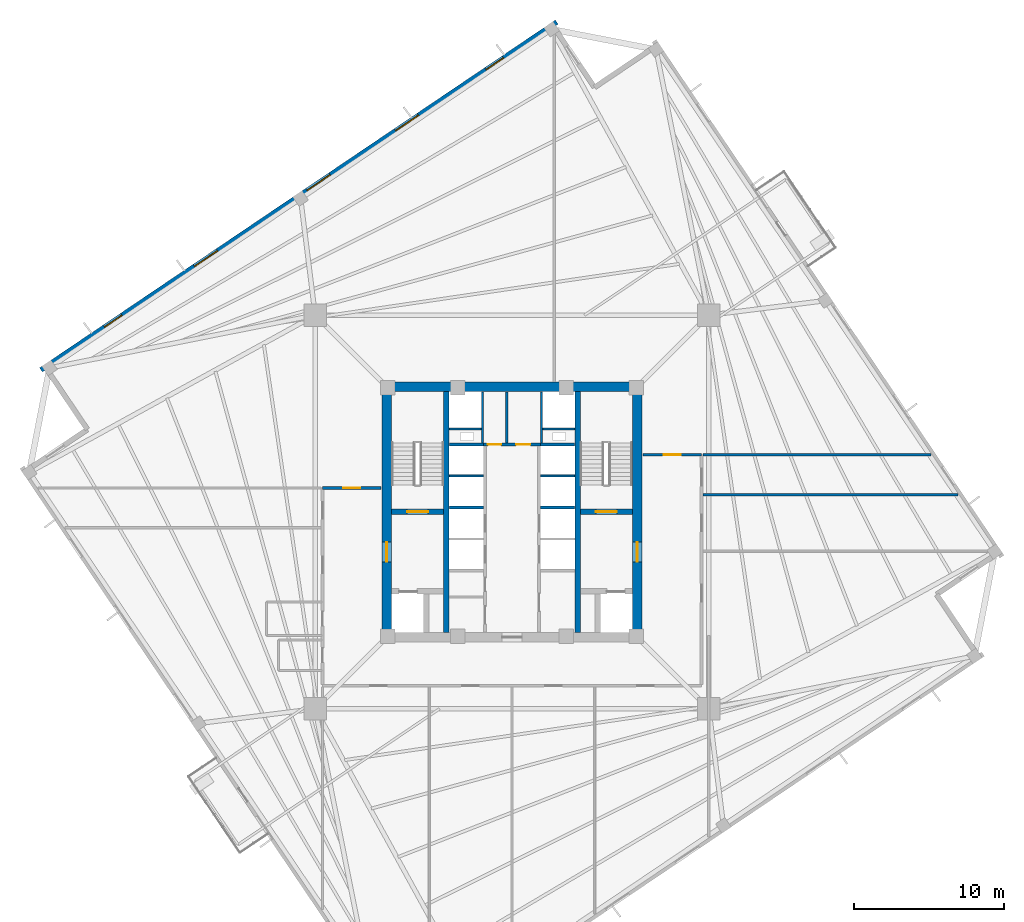
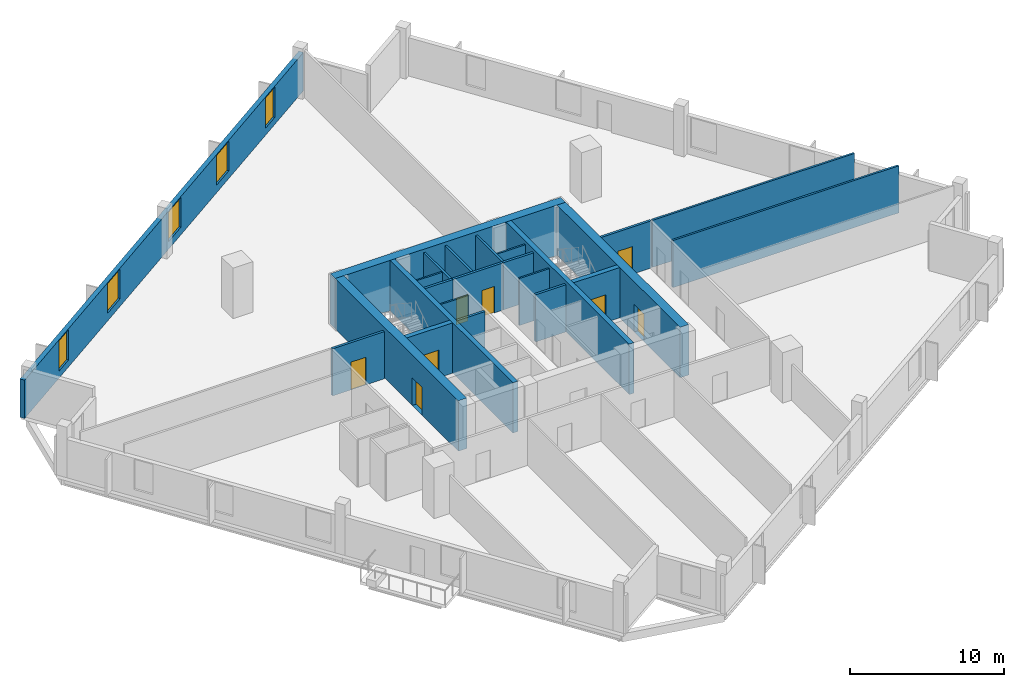
# One storey, part 5 of 9: 24 walls, 8 doors, 5 windows, 13 openings.
"""IFC4 building model written with IfcOpenShell, lengths in metres."""

import ifcopenshell
import ifcopenshell.guid

model = None  # the IFC model being written
_history = None  # IfcOwnerHistory: only IFC2X3 demands one
_inside = {}  # id of a spatial element -> (the spatial element, [elements in it])
_under = {}  # id of a project, library or spatial element -> (it, [spatial elements below it])
_declared = {}  # id of a project -> (the project, [libraries it declares])
_typed = {}  # id of a type object -> (the type object, [elements of that type])
_made_of = {}  # id of a material, layer set ... -> (it, [elements and type objects made of it])


def new_model(schema):
    """Start an empty IFC model of exactly this schema.

    Asked for "IFC4X3", IfcOpenShell would pick the latest addendum, in which some entities
    have other attributes; the version numbers below select the first issue.
    IFC2X3 requires an IfcOwnerHistory on every rooted entity: one is made here for all.
    """
    global model, _history
    if schema == "IFC4X3":
        model = ifcopenshell.file(schema_version=(4, 3, 0, 0))
    else:
        model = ifcopenshell.file(schema=schema)
    _inside.clear()
    _under.clear()
    _declared.clear()
    _typed.clear()
    _made_of.clear()
    _history = None
    if model.schema == "IFC2X3":
        org = make("IfcOrganization", Name="unknown")
        user = make(
            "IfcPersonAndOrganization",
            ThePerson=make("IfcPerson", FamilyName="unknown"),
            TheOrganization=org,
        )
        app = make(
            "IfcApplication",
            ApplicationDeveloper=org,
            Version="unknown",
            ApplicationFullName="unknown",
            ApplicationIdentifier="unknown",
        )
        _history = make(
            "IfcOwnerHistory",
            OwningUser=user,
            OwningApplication=app,
            ChangeAction="ADDED",
            CreationDate=0,
        )
    return model


def make(cls, **values):
    """One entity of the class cls with the attributes given. An attribute that is None is left unset."""
    return model.create_entity(
        cls, **{name: value for name, value in values.items() if value is not None}
    )


def rooted(cls, **values):
    """An entity with a GlobalId (a new one), such as an element, a storey or a relation."""
    return make(cls, GlobalId=ifcopenshell.guid.new(), OwnerHistory=_history, **values)


def si_unit(unit_type, name, prefix=None):
    """IfcSIUnit, for example si_unit("LENGTHUNIT", "METRE", prefix="MILLI")."""
    return make("IfcSIUnit", UnitType=unit_type, Prefix=prefix, Name=name)


def assignment(units):
    """IfcUnitAssignment: the units of a project."""
    return None if units is None else make("IfcUnitAssignment", Units=units)


def point(xyz):
    """IfcCartesianPoint."""
    return None if xyz is None else make("IfcCartesianPoint", Coordinates=xyz)


def direction(xyz):
    """IfcDirection."""
    return None if xyz is None else make("IfcDirection", DirectionRatios=xyz)


def frame(location, z_axis=None, x_axis=None):
    """IfcAxis2Placement3D, a coordinate frame: its origin and axes. An axis left out is left unset."""
    return make(
        "IfcAxis2Placement3D",
        Location=point(location),
        Axis=direction(z_axis),
        RefDirection=direction(x_axis),
    )


def frame_2d(location, x_axis=None):
    """IfcAxis2Placement2D, a coordinate frame in the plane: its origin and x axis."""
    return make(
        "IfcAxis2Placement2D", Location=point(location), RefDirection=direction(x_axis)
    )


def origin():
    """The frame at (0, 0, 0) with its axes left unset."""
    return frame((0.0, 0.0, 0.0))


def place(relative_to, where):
    """IfcLocalPlacement: puts the frame where relative to a parent placement (None: the world)."""
    return make(
        "IfcLocalPlacement", PlacementRelTo=relative_to, RelativePlacement=where
    )


def context(
    kind, dimensions, precision=None, world=None, true_north=None, identifier=None
):
    """IfcGeometricRepresentationContext, for example the 3D "Model" context."""
    return make(
        "IfcGeometricRepresentationContext",
        ContextIdentifier=identifier,
        ContextType=kind,
        CoordinateSpaceDimension=dimensions,
        Precision=precision,
        WorldCoordinateSystem=world,
        TrueNorth=true_north,
    )


def subcontext(parent, identifier, kind, view, scale=None):
    """IfcGeometricRepresentationSubContext, for example "Body" below "Model"."""
    return make(
        "IfcGeometricRepresentationSubContext",
        ContextIdentifier=identifier,
        ContextType=kind,
        ParentContext=parent,
        TargetScale=scale,
        TargetView=view,
    )


def project(units=None, contexts=None):
    """IfcProject with its units and contexts."""
    return rooted(
        "IfcProject",
        Name="project",
        RepresentationContexts=contexts,
        UnitsInContext=assignment(units),
    )


def spatial(cls, under=None, at=None, **own):
    """A site, building, storey or space (cls), placed at a placement, below another one or the project."""
    s = rooted(cls, ObjectPlacement=at, **own)
    if under is not None:
        _under.setdefault(under.id(), (under, []))[1].append(s)
    return s


def profile(cls, at=None, kind="AREA", **sizes):
    """A parametric profile (cls). Its sizes go by their IFC names, for example OverallWidth=200.0."""
    return make(cls, ProfileType=kind, Position=at, **sizes)


def rectangle(**sizes):
    """IfcRectangleProfileDef."""
    return profile("IfcRectangleProfileDef", **sizes)


def extrude(swept, where, along, depth):
    """IfcExtrudedAreaSolid: the profile swept, set in the frame where, extruded along a direction by depth."""
    return make(
        "IfcExtrudedAreaSolid",
        SweptArea=swept,
        Position=where,
        ExtrudedDirection=direction(along),
        Depth=depth,
    )


def shape(context_of_items, identifier, shape_type, items):
    """IfcShapeRepresentation: the items that make up one representation, for example the "Body"."""
    return make(
        "IfcShapeRepresentation",
        ContextOfItems=context_of_items,
        RepresentationIdentifier=identifier,
        RepresentationType=shape_type,
        Items=items,
    )


def source(mapping_origin, context_of_items, identifier, shape_type, items):
    """IfcRepresentationMap: a shape defined once, which mapped items show again and again."""
    return make(
        "IfcRepresentationMap",
        MappingOrigin=mapping_origin,
        MappedRepresentation=shape(context_of_items, identifier, shape_type, items),
    )


def transform(
    local_origin,
    x_axis=None,
    y_axis=None,
    z_axis=None,
    scale=None,
    scale2=None,
    scale3=None,
    uniform=True,
):
    """IfcCartesianTransformationOperator3D, or its non-uniform kind. x_axis, y_axis, z_axis: its Axis1, 2, 3."""
    if uniform:
        return make(
            "IfcCartesianTransformationOperator3D",
            Axis1=direction(x_axis),
            Axis2=direction(y_axis),
            LocalOrigin=point(local_origin),
            Scale=scale,
            Axis3=direction(z_axis),
        )
    return make(
        "IfcCartesianTransformationOperator3DnonUniform",
        Axis1=direction(x_axis),
        Axis2=direction(y_axis),
        LocalOrigin=point(local_origin),
        Scale=scale,
        Axis3=direction(z_axis),
        Scale2=scale2,
        Scale3=scale3,
    )


def mapped(mapping_source, mapping_target):
    """IfcMappedItem: shows the shape of a source again, moved by a transform."""
    return make(
        "IfcMappedItem", MappingSource=mapping_source, MappingTarget=mapping_target
    )


def material(Name=None, Category=None):
    """IfcMaterial."""
    return make("IfcMaterial", Name=Name, Category=Category)


def layer(
    of_material, thickness, ventilated=None, Name=None, Category=None, Priority=None
):
    """IfcMaterialLayer: one layer of a wall or slab, of a material (None: an air gap)."""
    return make(
        "IfcMaterialLayer",
        Material=of_material,
        LayerThickness=thickness,
        IsVentilated=ventilated,
        Name=Name,
        Category=Category,
        Priority=Priority,
    )


def layer_set(layers, Name=None):
    """IfcMaterialLayerSet."""
    return make("IfcMaterialLayerSet", MaterialLayers=layers, LayerSetName=Name)


def made_of(thing, what):
    """Note that an element or type object is made of a material, layer set ...; save() writes the relation."""
    if what is not None:
        _made_of.setdefault(what.id(), (what, []))[1].append(thing)
    return thing


def type_object(cls, material=None, **own):
    """A type object (cls), such as IfcWallType, which elements share."""
    return made_of(rooted(cls, **own), material)


def element(
    cls,
    number,
    at=None,
    inside=None,
    cuts=None,
    type_object=None,
    material=None,
    context=None,
    identifier="Body",
    shape_type=None,
    held_by="IfcProductDefinitionShape",
    body=None,
    shapes=None,
    **own,
):
    """One element of the class cls, such as IfcWall. Its Tag is "e" and its number.

    at: its placement. inside: the storey or other place that contains it. cuts: it is an
    opening in that element (IfcRelVoidsElement). A single representation is given by context,
    identifier, shape_type and body (its items); several are given by shapes. held_by: the class
    of the entity that holds the representations. save() writes the other relations.
    """
    e = rooted(cls, Tag="e%d" % number, ObjectPlacement=at, **own)
    if body is not None:
        shapes = [shape(context, identifier, shape_type, body)]
    if shapes is not None:
        e.Representation = make(held_by, Representations=shapes)
    if inside is not None:
        _inside.setdefault(inside.id(), (inside, []))[1].append(e)
    if cuts is not None:
        rooted(
            "IfcRelVoidsElement", RelatingBuildingElement=cuts, RelatedOpeningElement=e
        )
    if type_object is not None:
        _typed.setdefault(type_object.id(), (type_object, []))[1].append(e)
    return made_of(e, material)


def fill(opening, filler):
    """IfcRelFillsElement: the door or window that sits in an opening."""
    return rooted(
        "IfcRelFillsElement",
        RelatingOpeningElement=opening,
        RelatedBuildingElement=filler,
    )


def aggregate(whole, parts):
    """IfcRelAggregates: a whole, such as a stair, and the parts it consists of."""
    return rooted("IfcRelAggregates", RelatingObject=whole, RelatedObjects=parts)


def save(model, path):
    """Write the relations noted so far, then the file.

    IfcRelAggregates (storeys below a building ...), IfcRelContainedInSpatialStructure (elements
    in a storey), IfcRelDefinesByType, IfcRelAssociatesMaterial and IfcRelDeclares: one each for
    every whole, place, type object, material and project.
    """
    for whole, parts in _under.values():
        aggregate(whole, parts)
    for where, things in _inside.values():
        rooted(
            "IfcRelContainedInSpatialStructure",
            RelatedElements=things,
            RelatingStructure=where,
        )
    for kind, things in _typed.values():
        rooted("IfcRelDefinesByType", RelatedObjects=things, RelatingType=kind)
    for what, things in _made_of.values():
        rooted("IfcRelAssociatesMaterial", RelatedObjects=things, RelatingMaterial=what)
    for by, libraries in _declared.values():
        rooted("IfcRelDeclares", RelatingContext=by, RelatedDefinitions=libraries)
    model.write(path)


model = new_model("IFC4")

# Units and contexts
model_context = context("Model", 3, precision=1e-05, world=origin(), true_north=direction((0.0, 1.0)))
body_context = subcontext(model_context, "Body", "Model", "MODEL_VIEW")
ifc_project = project(units=[si_unit("LENGTHUNIT", "METRE"), si_unit("AREAUNIT", "SQUARE_METRE"), si_unit("VOLUMEUNIT", "CUBIC_METRE"), si_unit("PLANEANGLEUNIT", "RADIAN"), si_unit("MASSUNIT", "GRAM", prefix="KILO"), si_unit("THERMODYNAMICTEMPERATUREUNIT", "KELVIN")], contexts=[model_context])

# Site, building, storey
site_placement = place(None, origin())
site = spatial("IfcSite", under=ifc_project, at=site_placement, CompositionType="ELEMENT")
building_placement = place(site_placement, origin())
building = spatial("IfcBuilding", under=site, at=building_placement, Name="Kosmvard Interchange Tower", CompositionType="ELEMENT")
storey_placement = place(building_placement, frame((0.0, 0.0, 192.39990234375)))
storey = spatial("IfcBuildingStorey", under=building, at=storey_placement, Name="L46", CompositionType="ELEMENT", Elevation=192.39990234375)

# Walls
ifc_material_1 = material(Name="Acoustic gypsum partition system")
ifc_layer_1 = layer(ifc_material_1, 0.14990234375, Name="Acoustic gypsum partition system")
ifc_layer_set_1 = layer_set([ifc_layer_1], Name="Acoustic gypsum partition system")
wall_type_1 = type_object("IfcWallType", Name="Acoustic Suite & Meeting Partition 150", PredefinedType="PARTITIONING", material=ifc_layer_set_1)
wall_1_placement = place(storey_placement, frame((12.695068359375, 1.14990234375, 0.0), z_axis=(0.0, 0.0, 1.0), x_axis=(1.0, 0.0, 0.0)))
element("IfcWall", 1, at=wall_1_placement, inside=storey, type_object=wall_type_1, Name="L46 Room Partition 04.1", PredefinedType="PARTITIONING", context=body_context, shape_type="SweptSolid", body=[
    extrude(rectangle(XDim=16.9560546875, YDim=0.14990234375, at=frame_2d((8.47802734375, 0.0))), origin(), (0.0, 0.0, 1.0), 3.739990234375),
])
wall_2_placement = place(storey_placement, frame((12.695068359375, 3.800048828125, 0.0), z_axis=(0.0, 0.0, 1.0), x_axis=(1.0, 0.0, 0.0)))
element("IfcWall", 2, at=wall_2_placement, inside=storey, type_object=wall_type_1, Name="L46 Room Partition 05.1", PredefinedType="PARTITIONING", context=body_context, shape_type="SweptSolid", body=[
    extrude(rectangle(XDim=15.168701171875, YDim=0.14990234375, at=frame_2d((7.58447265625, 0.0))), origin(), (0.0, 0.0, 1.0), 3.739990234375),
])
ifc_material_2 = material(Name="Fire-rated gypsum partition system")
ifc_layer_2 = layer(ifc_material_2, 0.159912109375, Name="Fire-rated gypsum partition system")
ifc_layer_set_2 = layer_set([ifc_layer_2], Name="Fire-rated gypsum partition system")
wall_type_2 = type_object("IfcWallType", Name="Core Compartment & Shuttle Lobby Partition 160", PredefinedType="PARTITIONING", material=ifc_layer_set_2)
for number, where, z_axis, x_axis, name in (
    (3, (-1.9599609375, 4.580078125, 0.0), (0.0, 0.0, 1.0), (0.0, 1.0, 0.0), "L46 North Core West Wall"),
    (4, (1.9599609375, 4.580078125, 0.0), (0.0, 0.0, 1.0), (0.0, 1.0, 0.0), "L46 North Core East Wall"),
):
    element("IfcWall", number, at=place(storey_placement, frame(where, z_axis=z_axis, x_axis=x_axis)), inside=storey, type_object=wall_type_2, Name=name, PredefinedType="PARTITIONING", context=body_context, shape_type="SweptSolid", body=[
        extrude(rectangle(XDim=3.39990234375, YDim=0.159912109375, at=frame_2d((1.699951171875, 0.0))), origin(), (0.0, 0.0, 1.0), 3.739990234375),
    ])
ifc_material_3 = material(Name="Concrete blockwork masonry", Category="masonry")
ifc_layer_3 = layer(ifc_material_3, 0.159912109375, Name="Concrete blockwork masonry")
ifc_layer_set_3 = layer_set([ifc_layer_3], Name="Concrete blockwork masonry")
wall_type_3 = type_object("IfcWallType", Name="Core Enclosure Split Wall 160", PredefinedType="PARTITIONING", material=ifc_layer_set_3)
wall_3_placement = place(storey_placement, frame((-0.35009765625, 4.60009765625, 0.0), z_axis=(0.0, 0.0, 1.0), x_axis=(0.0, 1.0, 0.0)))
element("IfcWall", 5, at=wall_3_placement, inside=storey, type_object=wall_type_3, Name="L46 Core K2 Split Wall", PredefinedType="PARTITIONING", context=body_context, shape_type="SweptSolid", body=[
    extrude(rectangle(XDim=3.3798828125, YDim=0.159912109375, at=frame_2d((1.68994140625, 0.0))), origin(), (0.0, 0.0, 1.0), 3.739990234375),
])

# Wall, openings, doors
ifc_layer_4 = layer(ifc_material_2, 0.179931640625, Name="Fire-rated gypsum partition system")
ifc_layer_set_4 = layer_set([ifc_layer_4], Name="Fire-rated gypsum partition system")
wall_type_4 = type_object("IfcWallType", Name="Corridor & Hotel Compartment Partition 180", PredefinedType="PARTITIONING", material=ifc_layer_set_4)
wall_4_placement = place(storey_placement, frame((-1.8798828125, 4.489990234375, 0.0), z_axis=(0.0, 0.0, 1.0), x_axis=(1.0, 0.0, 0.0)))
wall_4 = element("IfcWall", 6, at=wall_4_placement, inside=storey, type_object=wall_type_4, Name="L46 Lift Lobby North Partition", PredefinedType="PARTITIONING", context=body_context, shape_type="SweptSolid", body=[
    extrude(rectangle(XDim=3.759765625, YDim=0.179931640625, at=frame_2d((1.8798828125, 0.0))), origin(), (0.0, 0.0, 1.0), 3.739990234375),
])
opening_1_placement = place(wall_4_placement, frame((0.280029296875, 0.0, 0.0)))
opening_1 = element("IfcOpeningElement", 7, at=opening_1_placement, cuts=wall_4, Name="Opening L46-KD1", PredefinedType="OPENING", context=body_context, shape_type="SweptSolid", body=[
    extrude(rectangle(XDim=0.8798828125, YDim=2.10009765625, at=frame_2d((0.43994140625, 1.050048828125))), frame((0.0, 0.10009765625, 0.0), z_axis=(0.0, -1.0, 0.0), x_axis=(1.0, 0.0, 0.0)), (0.0, 0.0, 1.0), 0.199951171875),
])
opening_2_placement = place(wall_4_placement, frame((2.14990234375, 0.0, 0.0)))
opening_2 = element("IfcOpeningElement", 8, at=opening_2_placement, cuts=wall_4, Name="Opening L46-KD2", PredefinedType="OPENING", context=body_context, shape_type="SweptSolid", body=[
    extrude(rectangle(XDim=0.949951171875, YDim=2.10009765625, at=frame_2d((0.47509765625, 1.050048828125))), frame((0.0, 0.10009765625, 0.0), z_axis=(0.0, -1.0, 0.0), x_axis=(1.0, 0.0, 0.0)), (0.0, 0.0, 1.0), 0.199951171875),
])
ifc_material_4 = material(Name="Painted fire-rated timber leaf", Category="wood")
door_type_1 = type_object("IfcDoorType", Name="Core Service Fire Door 950x2100 EI30", OperationType="NOTDEFINED", PredefinedType="DOOR", material=ifc_material_4)
shared_shape_1 = source(origin(), body_context, "Body", "SweptSolid", [
    extrude(rectangle(XDim=0.949951171875, YDim=2.10009765625, at=frame_2d((0.47509765625, 1.050048828125))), frame((0.0, 0.02490234375, 0.0), z_axis=(0.0, -1.0, 0.0), x_axis=(1.0, 0.0, 0.0)), (0.0, 0.0, 1.0), 0.050048828125),
])
door_1_placement = place(opening_2_placement, origin())
door_1 = element("IfcDoor", 9, at=door_1_placement, inside=storey, type_object=door_type_1, Name="L46 Core Tea Pantry Door", OperationType="SINGLE_SWING_RIGHT", OverallHeight=2.10009765625, OverallWidth=0.949951171875, PredefinedType="DOOR", context=body_context, shape_type="MappedRepresentation", body=[
    mapped(shared_shape_1, transform((0.0, 0.0, 0.0), scale=1.0)),
])
fill(opening_2, door_1)
door_type_2 = type_object("IfcDoorType", Name="Core Cupboard Fire Door 880x2100 EI30", OperationType="NOTDEFINED", PredefinedType="DOOR", material=ifc_material_4)
shared_shape_2 = source(origin(), body_context, "Body", "SweptSolid", [
    extrude(rectangle(XDim=0.8798828125, YDim=2.10009765625, at=frame_2d((0.43994140625, 1.050048828125))), frame((0.0, 0.02490234375, 0.0), z_axis=(0.0, -1.0, 0.0), x_axis=(1.0, 0.0, 0.0)), (0.0, 0.0, 1.0), 0.050048828125),
])
door_2_placement = place(opening_1_placement, origin())
door_2 = element("IfcDoor", 10, at=door_2_placement, inside=storey, type_object=door_type_2, Name="L46 Core Cleaner Cupboard Door", OperationType="SINGLE_SWING_LEFT", OverallHeight=2.10009765625, OverallWidth=0.8798828125, PredefinedType="DOOR", context=body_context, shape_type="MappedRepresentation", body=[
    mapped(shared_shape_2, transform((0.0, 0.0, 0.0), scale=1.0)),
])
fill(opening_1, door_2)

# Wall, opening, door
wall_5_placement = place(storey_placement, frame((-12.60009765625, 1.60009765625, 0.0), z_axis=(0.0, 0.0, 1.0), x_axis=(1.0, 0.0, 0.0)))
wall_5 = element("IfcWall", 11, at=wall_5_placement, inside=storey, type_object=wall_type_4, Name="L46 Corridor Wall CNW", PredefinedType="PARTITIONING", context=body_context, shape_type="SweptSolid", body=[
    extrude(rectangle(XDim=3.900146484375, YDim=0.179931640625, at=frame_2d((1.9501953125, 0.0))), origin(), (0.0, 0.0, 1.0), 3.739990234375),
])
opening_3_placement = place(wall_5_placement, frame((1.39990234375, 0.0, 0.0)))
opening_3 = element("IfcOpeningElement", 12, at=opening_3_placement, cuts=wall_5, Name="Opening L46-D04", PredefinedType="OPENING", context=body_context, shape_type="SweptSolid", body=[
    extrude(rectangle(XDim=1.10009765625, YDim=2.199951171875, at=frame_2d((0.550048828125, 1.10009765625))), frame((0.0, 0.10009765625, 0.0), z_axis=(0.0, -1.0, 0.0), x_axis=(1.0, 0.0, 0.0)), (0.0, 0.0, 1.0), 0.199951171875),
])
ifc_material_5 = material(Name="Engineered oak fire-rated timber", Category="wood")
door_type_3 = type_object("IfcDoorType", Name="Office Suite Entrance Door 1100x2200 FD30S", OperationType="NOTDEFINED", PredefinedType="DOOR", material=ifc_material_5)
shared_shape_3 = source(origin(), body_context, "Body", "SweptSolid", [
    extrude(rectangle(XDim=1.10009765625, YDim=2.199951171875, at=frame_2d((0.550048828125, 1.10009765625))), frame((0.0, 0.02490234375, 0.0), z_axis=(0.0, -1.0, 0.0), x_axis=(1.0, 0.0, 0.0)), (0.0, 0.0, 1.0), 0.050048828125),
])
door_3_placement = place(opening_3_placement, origin())
door_3 = element("IfcDoor", 13, at=door_3_placement, inside=storey, type_object=door_type_3, Name="L46 North-West Maritime Logistics Workplace Door", OperationType="SINGLE_SWING_RIGHT", OverallHeight=2.199951171875, OverallWidth=1.10009765625, PredefinedType="DOOR", context=body_context, shape_type="MappedRepresentation", body=[
    mapped(shared_shape_3, transform((0.0, 0.0, 0.0), scale=1.0)),
])
fill(opening_3, door_3)

wall_6_placement = place(storey_placement, frame((8.699951171875, 3.800048828125, 0.0), z_axis=(0.0, 0.0, 1.0), x_axis=(1.0, 0.0, 0.0)))
wall_6 = element("IfcWall", 14, at=wall_6_placement, inside=storey, type_object=wall_type_4, Name="L46 Corridor Wall CNE", PredefinedType="PARTITIONING", context=body_context, shape_type="SweptSolid", body=[
    extrude(rectangle(XDim=3.900146484375, YDim=0.179931640625, at=frame_2d((1.9501953125, 0.0))), origin(), (0.0, 0.0, 1.0), 3.739990234375),
])
opening_4_placement = place(wall_6_placement, frame((1.39990234375, 0.0, 0.0)))
opening_4 = element("IfcOpeningElement", 15, at=opening_4_placement, cuts=wall_6, Name="Opening L46-D05", PredefinedType="OPENING", context=body_context, shape_type="SweptSolid", body=[
    extrude(rectangle(XDim=1.10009765625, YDim=2.199951171875, at=frame_2d((0.550048828125, 1.10009765625))), frame((0.0, 0.10009765625, 0.0), z_axis=(0.0, -1.0, 0.0), x_axis=(1.0, 0.0, 0.0)), (0.0, 0.0, 1.0), 0.199951171875),
])
door_4_placement = place(opening_4_placement, origin())
door_4 = element("IfcDoor", 16, at=door_4_placement, inside=storey, type_object=door_type_3, Name="L46 Regional Trade Summit Hall Door", OperationType="SINGLE_SWING_LEFT", OverallHeight=2.199951171875, OverallWidth=1.10009765625, PredefinedType="DOOR", context=body_context, shape_type="MappedRepresentation", body=[
    mapped(shared_shape_3, transform((0.0, 0.0, 0.0), scale=1.0)),
])
fill(opening_4, door_4)

# Wall
ifc_material_6 = material(Name="Concrete C70/85", Category="concrete")
ifc_layer_5 = layer(ifc_material_6, 0.64990234375, Name="Concrete C70/85")
ifc_layer_set_5 = layer_set([ifc_layer_5], Name="Concrete C70/85")
wall_type_5 = type_object("IfcWallType", Name="Mid Core Shear Wall 650 C70/85", PredefinedType="SHEAR", material=ifc_layer_set_5)
wall_7_placement = place(storey_placement, frame((-8.64990234375, 8.324951171875, 0.0), z_axis=(0.0, 0.0, 1.0), x_axis=(1.0, 0.0, 0.0)))
element("IfcWall", 17, at=wall_7_placement, inside=storey, type_object=wall_type_5, Name="L46 Core Shear Wall CW-N", PredefinedType="SHEAR", context=body_context, shape_type="SweptSolid", body=[
    extrude(rectangle(XDim=17.2998046875, YDim=0.64990234375, at=frame_2d((8.64990234375, 0.0))), origin(), (0.0, 0.0, 1.0), 4.0),
])

# Wall, opening, door
wall_8_placement = place(storey_placement, frame((-8.324951171875, -8.0, 0.0), z_axis=(0.0, 0.0, 1.0), x_axis=(0.0, 1.0, 0.0)))
wall_8 = element("IfcWall", 18, at=wall_8_placement, inside=storey, type_object=wall_type_5, Name="L46 Core Shear Wall CW-W", PredefinedType="SHEAR", context=body_context, shape_type="SweptSolid", body=[
    extrude(rectangle(XDim=16.0, YDim=0.64990234375, at=frame_2d((8.0, 0.0))), origin(), (0.0, 0.0, 1.0), 4.0),
])
opening_5_placement = place(wall_8_placement, frame((4.68994140625, 0.0, 0.0)))
opening_5 = element("IfcOpeningElement", 19, at=opening_5_placement, cuts=wall_8, Name="Opening L46-FD1", PredefinedType="OPENING", context=body_context, shape_type="SweptSolid", body=[
    extrude(rectangle(XDim=1.300048828125, YDim=2.199951171875, at=frame_2d((0.64990234375, 1.10009765625))), frame((0.0, 0.3349609375, 0.0), z_axis=(0.0, -1.0, 0.0), x_axis=(1.0, 0.0, 0.0)), (0.0, 0.0, 1.0), 0.669921875),
])
ifc_material_7 = material(Name="Painted fire-rated steel leaf", Category="steel")
door_type_4 = type_object("IfcDoorType", Name="Firefighting Lobby Door 1300x2200 EI60", OperationType="NOTDEFINED", PredefinedType="DOOR", material=ifc_material_7)
shared_shape_4 = source(origin(), body_context, "Body", "SweptSolid", [
    extrude(rectangle(XDim=1.300048828125, YDim=2.199951171875, at=frame_2d((0.64990234375, 1.10009765625))), frame((0.0, 0.02490234375, 0.0), z_axis=(0.0, -1.0, 0.0), x_axis=(1.0, 0.0, 0.0)), (0.0, 0.0, 1.0), 0.050048828125),
])
door_5_placement = place(opening_5_placement, frame((1.300048828125, 0.0, 0.0), z_axis=(0.0, 0.0, 1.0), x_axis=(-1.0, 0.0, 0.0)))
door_5 = element("IfcDoor", 20, at=door_5_placement, inside=storey, type_object=door_type_4, Name="L46 Firefighting Lobby West Door", OperationType="SINGLE_SWING_LEFT", OverallHeight=2.199951171875, OverallWidth=1.300048828125, PredefinedType="DOOR", context=body_context, shape_type="MappedRepresentation", body=[
    mapped(shared_shape_4, transform((0.0, 0.0, 0.0), scale=1.0)),
])
fill(opening_5, door_5)

wall_9_placement = place(storey_placement, frame((8.324951171875, -8.0, 0.0), z_axis=(0.0, 0.0, 1.0), x_axis=(0.0, 1.0, 0.0)))
wall_9 = element("IfcWall", 21, at=wall_9_placement, inside=storey, type_object=wall_type_5, Name="L46 Core Shear Wall CW-E", PredefinedType="SHEAR", context=body_context, shape_type="SweptSolid", body=[
    extrude(rectangle(XDim=16.0, YDim=0.64990234375, at=frame_2d((8.0, 0.0))), origin(), (0.0, 0.0, 1.0), 4.0),
])
opening_6_placement = place(wall_9_placement, frame((4.68994140625, 0.0, 0.0)))
opening_6 = element("IfcOpeningElement", 22, at=opening_6_placement, cuts=wall_9, Name="Opening L46-FD2", PredefinedType="OPENING", context=body_context, shape_type="SweptSolid", body=[
    extrude(rectangle(XDim=1.300048828125, YDim=2.199951171875, at=frame_2d((0.64990234375, 1.10009765625))), frame((0.0, 0.3349609375, 0.0), z_axis=(0.0, -1.0, 0.0), x_axis=(1.0, 0.0, 0.0)), (0.0, 0.0, 1.0), 0.669921875),
])
door_6_placement = place(opening_6_placement, origin())
door_6 = element("IfcDoor", 23, at=door_6_placement, inside=storey, type_object=door_type_4, Name="L46 Firefighting Lobby East Door", OperationType="SINGLE_SWING_RIGHT", OverallHeight=2.199951171875, OverallWidth=1.300048828125, PredefinedType="DOOR", context=body_context, shape_type="MappedRepresentation", body=[
    mapped(shared_shape_4, transform((0.0, 0.0, 0.0), scale=1.0)),
])
fill(opening_6, door_6)

# Wall, openings, windows
ifc_material_8 = material(Name="Precast concrete C45/55", Category="concrete")
ifc_layer_6 = layer(ifc_material_8, 0.340087890625, Name="Precast concrete C45/55")
ifc_layer_set_6 = layer_set([ifc_layer_6], Name="Precast concrete C45/55")
wall_type_6 = type_object("IfcWallType", Name="Mid Tower Precast Pier Wall 340 C45/55", PredefinedType="STANDARD", material=ifc_layer_set_6)
wall_10_placement = place(storey_placement, frame((2.971923828125, 32.55810546875, 0.0), z_axis=(0.0, 0.0, 1.0), x_axis=(-0.829036218961, -0.559194910251, 0.0)))
wall_10 = element("IfcWall", 24, at=wall_10_placement, inside=storey, type_object=wall_type_6, Name="L46 Precast Facade Wall F-N", PredefinedType="STANDARD", context=body_context, shape_type="SweptSolid", body=[
    extrude(rectangle(XDim=41.340087890625, YDim=0.340087890625, at=frame_2d((20.669921875, 0.0))), origin(), (0.0, 0.0, 1.0), 3.0400390625),
])
opening_7_placement = place(wall_10_placement, frame((4.2607421875, 0.0, 0.56005859375)))
opening_7 = element("IfcOpeningElement", 25, at=opening_7_placement, cuts=wall_10, Name="Opening L46-W11", PredefinedType="OPENING", context=body_context, shape_type="SweptSolid", body=[
    extrude(rectangle(XDim=1.39990234375, YDim=2.39990234375, at=frame_2d((0.699951171875, 1.199951171875))), frame((0.0, 0.18017578125, 0.0), z_axis=(0.0, -1.0, 0.0), x_axis=(1.0, 0.0, 0.0)), (0.0, 0.0, 1.0), 0.360107421875),
])
opening_8_placement = place(wall_10_placement, frame((11.063720703125, 0.0, 0.610107421875)))
opening_8 = element("IfcOpeningElement", 26, at=opening_8_placement, cuts=wall_10, Name="Opening L46-W12", PredefinedType="OPENING", context=body_context, shape_type="SweptSolid", body=[
    extrude(rectangle(XDim=1.85009765625, YDim=2.35009765625, at=frame_2d((0.925048828125, 1.175048828125))), frame((0.0, 0.18017578125, 0.0), z_axis=(0.0, -1.0, 0.0), x_axis=(1.0, 0.0, 0.0)), (0.0, 0.0, 1.0), 0.360107421875),
])
opening_9_placement = place(wall_10_placement, frame((18.168212890625, 0.0, 0.610107421875)))
opening_9 = element("IfcOpeningElement", 27, at=opening_9_placement, cuts=wall_10, Name="Opening L46-W13", PredefinedType="OPENING", context=body_context, shape_type="SweptSolid", body=[
    extrude(rectangle(XDim=1.85009765625, YDim=2.35009765625, at=frame_2d((0.925048828125, 1.175048828125))), frame((0.0, 0.18017578125, 0.0), z_axis=(0.0, -1.0, 0.0), x_axis=(1.0, 0.0, 0.0)), (0.0, 0.0, 1.0), 0.360107421875),
])
opening_10_placement = place(wall_10_placement, frame((27.186279296875, 0.0, 0.610107421875)))
opening_10 = element("IfcOpeningElement", 28, at=opening_10_placement, cuts=wall_10, Name="Opening L46-W14", PredefinedType="OPENING", context=body_context, shape_type="SweptSolid", body=[
    extrude(rectangle(XDim=1.85009765625, YDim=2.35009765625, at=frame_2d((0.925048828125, 1.175048828125))), frame((0.0, 0.18017578125, 0.0), z_axis=(0.0, -1.0, 0.0), x_axis=(1.0, 0.0, 0.0)), (0.0, 0.0, 1.0), 0.360107421875),
])
opening_11_placement = place(wall_10_placement, frame((34.852294921875, 0.0, 0.56005859375)))
opening_11 = element("IfcOpeningElement", 29, at=opening_11_placement, cuts=wall_10, Name="Opening L46-W15", PredefinedType="OPENING", context=body_context, shape_type="SweptSolid", body=[
    extrude(rectangle(XDim=1.39990234375, YDim=2.39990234375, at=frame_2d((0.699951171875, 1.199951171875))), frame((0.0, 0.18017578125, 0.0), z_axis=(0.0, -1.0, 0.0), x_axis=(1.0, 0.0, 0.0)), (0.0, 0.0, 1.0), 0.360107421875),
])
ifc_material_9 = material(Name="Low-E solar-control double glazing", Category="glass")
window_type_1 = type_object("IfcWindowType", Name="Notched Corner Feature Window 1400x2400", PartitioningType="SINGLE_PANEL", PredefinedType="WINDOW", material=ifc_material_9)
shared_shape_5 = source(origin(), body_context, "Body", "SweptSolid", [
    extrude(rectangle(XDim=1.39990234375, YDim=2.39990234375, at=frame_2d((0.699951171875, 1.199951171875))), frame((0.0, 0.030029296875, 0.0), z_axis=(0.0, -1.0, 0.0), x_axis=(1.0, 0.0, 0.0)), (0.0, 0.0, 1.0), 0.06005859375),
])
window_1_placement = place(opening_7_placement, origin())
window_1 = element("IfcWindow", 30, at=window_1_placement, inside=storey, type_object=window_type_1, Name="L46 Facade Punched Window 11", OverallHeight=2.39990234375, OverallWidth=1.39990234375, PartitioningType="SINGLE_PANEL", PredefinedType="WINDOW", context=body_context, shape_type="MappedRepresentation", body=[
    mapped(shared_shape_5, transform((0.0, 0.0, 0.0), scale=1.0)),
])
fill(opening_7, window_1)
window_2_placement = place(opening_11_placement, origin())
window_2 = element("IfcWindow", 31, at=window_2_placement, inside=storey, type_object=window_type_1, Name="L46 Facade Punched Window 15", OverallHeight=2.39990234375, OverallWidth=1.39990234375, PartitioningType="SINGLE_PANEL", PredefinedType="WINDOW", context=body_context, shape_type="MappedRepresentation", body=[
    mapped(shared_shape_5, transform((0.0, 0.0, 0.0), scale=1.0)),
])
fill(opening_11, window_2)
window_type_2 = type_object("IfcWindowType", Name="Zone 3 Office Punched Window 1850x2350", PartitioningType="SINGLE_PANEL", PredefinedType="WINDOW", material=ifc_material_9)
shared_shape_6 = source(origin(), body_context, "Body", "SweptSolid", [
    extrude(rectangle(XDim=1.85009765625, YDim=2.35009765625, at=frame_2d((0.925048828125, 1.175048828125))), frame((0.0, 0.030029296875, 0.0), z_axis=(0.0, -1.0, 0.0), x_axis=(1.0, 0.0, 0.0)), (0.0, 0.0, 1.0), 0.06005859375),
])
window_3_placement = place(opening_8_placement, origin())
window_3 = element("IfcWindow", 32, at=window_3_placement, inside=storey, type_object=window_type_2, Name="L46 Facade Punched Window 12", OverallHeight=2.35009765625, OverallWidth=1.85009765625, PartitioningType="SINGLE_PANEL", PredefinedType="WINDOW", context=body_context, shape_type="MappedRepresentation", body=[
    mapped(shared_shape_6, transform((0.0, 0.0, 0.0), scale=1.0)),
])
fill(opening_8, window_3)
window_4_placement = place(opening_9_placement, origin())
window_4 = element("IfcWindow", 33, at=window_4_placement, inside=storey, type_object=window_type_2, Name="L46 Facade Punched Window 13", OverallHeight=2.35009765625, OverallWidth=1.85009765625, PartitioningType="SINGLE_PANEL", PredefinedType="WINDOW", context=body_context, shape_type="MappedRepresentation", body=[
    mapped(shared_shape_6, transform((0.0, 0.0, 0.0), scale=1.0)),
])
fill(opening_9, window_4)
window_5_placement = place(opening_10_placement, origin())
window_5 = element("IfcWindow", 34, at=window_5_placement, inside=storey, type_object=window_type_2, Name="L46 Facade Punched Window 14", OverallHeight=2.35009765625, OverallWidth=1.85009765625, PartitioningType="SINGLE_PANEL", PredefinedType="WINDOW", context=body_context, shape_type="MappedRepresentation", body=[
    mapped(shared_shape_6, transform((0.0, 0.0, 0.0), scale=1.0)),
])
fill(opening_10, window_5)

# Walls
ifc_layer_7 = layer(ifc_material_3, 0.179931640625, Name="Concrete blockwork masonry")
ifc_layer_set_7 = layer_set([ifc_layer_7], Name="Concrete blockwork masonry")
wall_type_7 = type_object("IfcWallType", Name="Riser & Lift Bank Divider Wall 180", PredefinedType="PARTITIONING", material=ifc_layer_set_7)
for number, where, z_axis, x_axis, name in (
    (35, (-4.169921875, 0.300048828125, 0.0), (0.0, 0.0, 1.0), (1.0, 0.0, 0.0), "L46 West Bank Divider BD2"),
    (36, (1.889892578125, 0.300048828125, 0.0), (0.0, 0.0, 1.0), (1.0, 0.0, 0.0), "L46 East Bank Divider BD2"),
    (37, (-4.169921875, 4.489990234375, 0.0), (0.0, 0.0, 1.0), (1.0, 0.0, 0.0), "L46 West Bank Divider BD3"),
    (38, (1.889892578125, 4.489990234375, 0.0), (0.0, 0.0, 1.0), (1.0, 0.0, 0.0), "L46 East Bank Divider BD3"),
):
    element("IfcWall", number, at=place(storey_placement, frame(where, z_axis=z_axis, x_axis=x_axis)), inside=storey, type_object=wall_type_7, Name=name, PredefinedType="PARTITIONING", context=body_context, shape_type="SweptSolid", body=[
        extrude(rectangle(XDim=2.280029296875, YDim=0.179931640625, at=frame_2d((1.14013671875, 0.0))), origin(), (0.0, 0.0, 1.0), 3.739990234375),
    ])
ifc_material_10 = material(Name="Fire-rated gypsum shaftwall system")
ifc_layer_8 = layer(ifc_material_10, 0.1201171875, Name="Fire-rated gypsum shaftwall system")
ifc_layer_set_8 = layer_set([ifc_layer_8], Name="Fire-rated gypsum shaftwall system")
wall_type_8 = type_object("IfcWallType", Name="Shaft & Riser Fire Partition 120 EI60", PredefinedType="PARTITIONING", material=ifc_layer_set_8)
for number, where, z_axis, x_axis, name in (
    (39, (-4.159912109375, 2.39990234375, 0.0), (0.0, 0.0, 1.0), (1.0, 0.0, 0.0), "L46 Shaft Divider PL-H1"),
    (40, (1.89990234375, 2.39990234375, 0.0), (0.0, 0.0, 1.0), (1.0, 0.0, 0.0), "L46 Shaft Divider PL-H3"),
):
    element("IfcWall", number, at=place(storey_placement, frame(where, z_axis=z_axis, x_axis=x_axis)), inside=storey, type_object=wall_type_8, Name=name, PredefinedType="PARTITIONING", context=body_context, shape_type="SweptSolid", body=[
        extrude(rectangle(XDim=2.260009765625, YDim=0.1201171875, at=frame_2d((1.1298828125, 0.0))), origin(), (0.0, 0.0, 1.0), 3.739990234375),
    ])
for number, where, z_axis, x_axis, name in (
    (41, (-4.159912109375, 5.52001953125, 0.0), (0.0, 0.0, 1.0), (1.0, 0.0, 0.0), "L46 Riser Shaft Divider W"),
    (42, (2.06005859375, 5.52001953125, 0.0), (0.0, 0.0, 1.0), (1.0, 0.0, 0.0), "L46 Riser Shaft Divider E"),
):
    element("IfcWall", number, at=place(storey_placement, frame(where, z_axis=z_axis, x_axis=x_axis)), inside=storey, type_object=wall_type_8, Name=name, PredefinedType="PARTITIONING", context=body_context, shape_type="SweptSolid", body=[
        extrude(rectangle(XDim=2.099853515625, YDim=0.1201171875, at=frame_2d((1.0498046875, 0.0))), origin(), (0.0, 0.0, 1.0), 3.739990234375),
    ])
ifc_material_11 = material(Name="Concrete C60/75", Category="concrete")
ifc_layer_9 = layer(ifc_material_11, 0.360107421875, Name="Concrete C60/75")
ifc_layer_set_9 = layer_set([ifc_layer_9], Name="Concrete C60/75")
wall_type_9 = type_object("IfcWallType", Name="Stair & Lift Shaft Shear Wall 360 C60/75", PredefinedType="SHEAR", material=ifc_layer_set_9)
for number, where, z_axis, x_axis, name in (
    (43, (-4.360107421875, -8.0, 0.0), (0.0, 0.0, 1.0), (0.0, 1.0, 0.0), "L46 Shaft Shear Wall SW-W"),
    (44, (4.360107421875, -8.0, 0.0), (0.0, 0.0, 1.0), (0.0, 1.0, 0.0), "L46 Shaft Shear Wall SW-E"),
):
    element("IfcWall", number, at=place(storey_placement, frame(where, z_axis=z_axis, x_axis=x_axis)), inside=storey, type_object=wall_type_9, Name=name, PredefinedType="SHEAR", context=body_context, shape_type="SweptSolid", body=[
        extrude(rectangle(XDim=16.0, YDim=0.360107421875, at=frame_2d((8.0, 0.0))), origin(), (0.0, 0.0, 1.0), 4.0),
    ])

# Wall, opening, door
wall_11_placement = place(storey_placement, frame((-8.0, 0.02001953125, 0.0), z_axis=(0.0, 0.0, 1.0), x_axis=(1.0, 0.0, 0.0)))
wall_11 = element("IfcWall", 45, at=wall_11_placement, inside=storey, type_object=wall_type_9, Name="L46 Shaft Shear Wall SW-ST1", PredefinedType="SHEAR", context=body_context, shape_type="SweptSolid", body=[
    extrude(rectangle(XDim=3.4599609375, YDim=0.360107421875, at=frame_2d((1.72998046875, 0.0))), origin(), (0.0, 0.0, 1.0), 4.0),
])
opening_12_placement = place(wall_11_placement, frame((1.030029296875, 0.0, 0.0)))
opening_12 = element("IfcOpeningElement", 46, at=opening_12_placement, cuts=wall_11, Name="Opening L46-SD1", PredefinedType="OPENING", context=body_context, shape_type="SweptSolid", body=[
    extrude(rectangle(XDim=1.39990234375, YDim=2.199951171875, at=frame_2d((0.699951171875, 1.10009765625))), frame((0.0, 0.18994140625, 0.0), z_axis=(0.0, -1.0, 0.0), x_axis=(1.0, 0.0, 0.0)), (0.0, 0.0, 1.0), 0.380126953125),
])
door_type_5 = type_object("IfcDoorType", Name="Protected Stair Door 1400x2200 FD60S", OperationType="NOTDEFINED", PredefinedType="DOOR", material=ifc_material_7)
shared_shape_7 = source(origin(), body_context, "Body", "SweptSolid", [
    extrude(rectangle(XDim=1.39990234375, YDim=2.199951171875, at=frame_2d((0.699951171875, 1.10009765625))), frame((0.0, 0.02490234375, 0.0), z_axis=(0.0, -1.0, 0.0), x_axis=(1.0, 0.0, 0.0)), (0.0, 0.0, 1.0), 0.050048828125),
])
door_7_placement = place(opening_12_placement, origin())
door_7 = element("IfcDoor", 47, at=door_7_placement, inside=storey, type_object=door_type_5, Name="L46 Stair ST-1 Enclosure Door", OperationType="SINGLE_SWING_LEFT", OverallHeight=2.199951171875, OverallWidth=1.39990234375, PredefinedType="DOOR", context=body_context, shape_type="MappedRepresentation", body=[
    mapped(shared_shape_7, transform((0.0, 0.0, 0.0), scale=1.0)),
])
fill(opening_12, door_7)

wall_12_placement = place(storey_placement, frame((4.5400390625, 0.02001953125, 0.0), z_axis=(0.0, 0.0, 1.0), x_axis=(1.0, 0.0, 0.0)))
wall_12 = element("IfcWall", 48, at=wall_12_placement, inside=storey, type_object=wall_type_9, Name="L46 Shaft Shear Wall SW-ST2", PredefinedType="SHEAR", context=body_context, shape_type="SweptSolid", body=[
    extrude(rectangle(XDim=3.4599609375, YDim=0.360107421875, at=frame_2d((1.72998046875, 0.0))), origin(), (0.0, 0.0, 1.0), 4.0),
])
opening_13_placement = place(wall_12_placement, frame((1.030029296875, 0.0, 0.0)))
opening_13 = element("IfcOpeningElement", 49, at=opening_13_placement, cuts=wall_12, Name="Opening L46-SD2", PredefinedType="OPENING", context=body_context, shape_type="SweptSolid", body=[
    extrude(rectangle(XDim=1.39990234375, YDim=2.199951171875, at=frame_2d((0.699951171875, 1.10009765625))), frame((0.0, 0.18994140625, 0.0), z_axis=(0.0, -1.0, 0.0), x_axis=(1.0, 0.0, 0.0)), (0.0, 0.0, 1.0), 0.380126953125),
])
door_8_placement = place(opening_13_placement, origin())
door_8 = element("IfcDoor", 50, at=door_8_placement, inside=storey, type_object=door_type_5, Name="L46 Stair ST-2 Enclosure Door", OperationType="SINGLE_SWING_RIGHT", OverallHeight=2.199951171875, OverallWidth=1.39990234375, PredefinedType="DOOR", context=body_context, shape_type="MappedRepresentation", body=[
    mapped(shared_shape_7, transform((0.0, 0.0, 0.0), scale=1.0)),
])
fill(opening_13, door_8)

save(model, "model.ifc")
